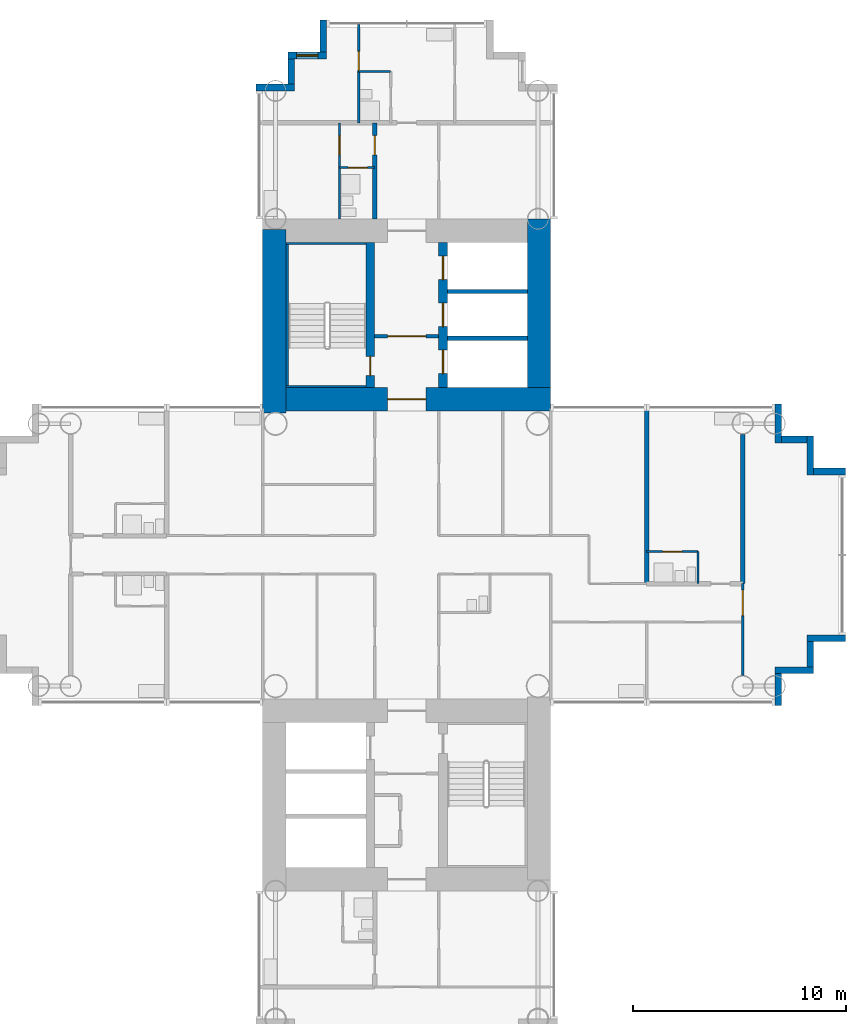
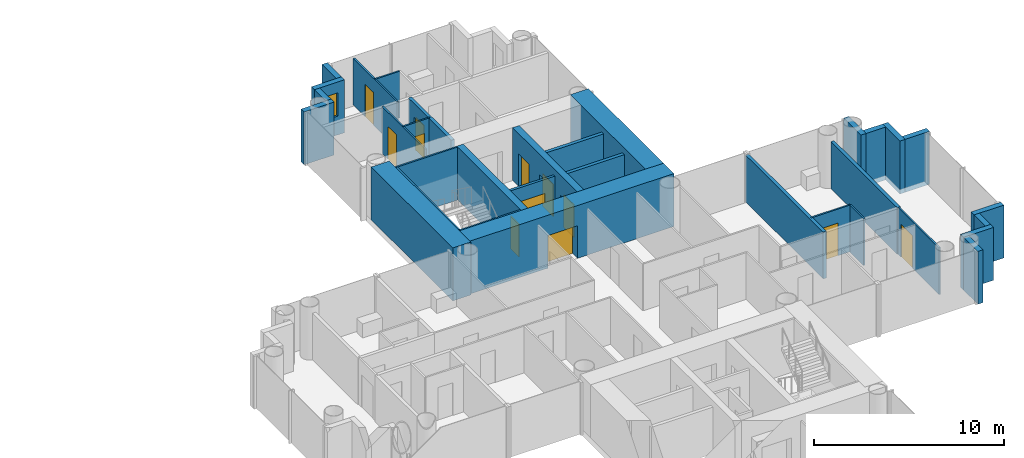
# One storey, part 14 of 21: 33 walls, 12 doors, 1 window, 13 openings.
"""IFC4 building model written with IfcOpenShell, lengths in metres."""

from ifc_helpers import new_model, si_unit, direction, frame, frame_2d, origin, place, context, subcontext, project, spatial, rectangle, extrude, material, layer, layer_set, type_object, element, fill, save


model = new_model("IFC4")

# Units and contexts
model_context = context("Model", 3, precision=1e-05, world=origin(), true_north=direction((0.0, 1.0)))
body_context = subcontext(model_context, "Body", "Model", "MODEL_VIEW")
ifc_project = project(units=[si_unit("LENGTHUNIT", "METRE"), si_unit("AREAUNIT", "SQUARE_METRE"), si_unit("VOLUMEUNIT", "CUBIC_METRE"), si_unit("PLANEANGLEUNIT", "RADIAN"), si_unit("MASSUNIT", "GRAM", prefix="KILO")], contexts=[model_context])

# Site, building, storey
site_placement = place(None, origin())
site = spatial("IfcSite", under=ifc_project, at=site_placement, CompositionType="ELEMENT")
building_placement = place(site_placement, origin())
building = spatial("IfcBuilding", under=site, at=building_placement, Name="Ipe Terrace Towers", CompositionType="ELEMENT")
storey_placement = place(building_placement, frame((0.0, 0.0, 41.5)))
storey = spatial("IfcBuildingStorey", under=building, at=storey_placement, Name="L10", CompositionType="ELEMENT", Elevation=41.5)

# Walls
ifc_material_1 = material(Name="Concrete C40/50 with buff precast cladding", Category="concrete")
ifc_layer_1 = layer(ifc_material_1, 0.320068359375)
ifc_layer_set_1 = layer_set([ifc_layer_1], Name="BUFF CLADDING WALL 320")
wall_type_1 = type_object("IfcWallType", Name="BUFF CLADDING WALL 320", PredefinedType="STANDARD", material=ifc_layer_set_1)
wall_1_placement = place(storey_placement, frame((53.409912109375, -7.070068359375, -0.300048828125), z_axis=(0.0, 0.0, 1.0), x_axis=(0.0, 1.0, 0.0)))
element("IfcWall", 1, at=wall_1_placement, inside=storey, type_object=wall_type_1, Name="T2-W-L10-08a wall", PredefinedType="STANDARD", context=body_context, shape_type="SweptSolid", body=[
    extrude(rectangle(XDim=1.5, YDim=0.320068359375, at=frame_2d((0.75, 0.0))), origin(), (0.0, 0.0, 1.0), 3.400146484375),
])
wall_2_placement = place(storey_placement, frame((53.25, -5.409912109375, -0.300048828125), z_axis=(0.0, 0.0, 1.0), x_axis=(1.0, 0.0, 0.0)))
element("IfcWall", 2, at=wall_2_placement, inside=storey, type_object=wall_type_1, Name="T2-W-L10-09a wall", PredefinedType="STANDARD", context=body_context, shape_type="SweptSolid", body=[
    extrude(rectangle(XDim=1.820068359375, YDim=0.320068359375, at=frame_2d((0.91015625, 0.0))), origin(), (0.0, 0.0, 1.0), 3.400146484375),
])
wall_3_placement = place(storey_placement, frame((54.909912109375, -5.25, -0.300048828125), z_axis=(0.0, 0.0, 1.0), x_axis=(0.0, 1.0, 0.0)))
element("IfcWall", 3, at=wall_3_placement, inside=storey, type_object=wall_type_1, Name="T2-W-L10-10a wall", PredefinedType="STANDARD", context=body_context, shape_type="SweptSolid", body=[
    extrude(rectangle(XDim=1.179931640625, YDim=0.320068359375, at=frame_2d((0.58984375, 0.0))), origin(), (0.0, 0.0, 1.0), 3.400146484375),
])
wall_4_placement = place(storey_placement, frame((54.75, -3.909912109375, -0.300048828125), z_axis=(0.0, 0.0, 1.0), x_axis=(1.0, 0.0, 0.0)))
element("IfcWall", 4, at=wall_4_placement, inside=storey, type_object=wall_type_1, Name="T2-W-L10-11a wall", PredefinedType="STANDARD", context=body_context, shape_type="SweptSolid", body=[
    extrude(rectangle(XDim=1.820068359375, YDim=0.320068359375, at=frame_2d((0.91015625, 0.0))), origin(), (0.0, 0.0, 1.0), 3.400146484375),
])
wall_5_placement = place(storey_placement, frame((56.570068359375, 3.909912109375, -0.300048828125), z_axis=(0.0, 0.0, 1.0), x_axis=(-1.0, 0.0, 0.0)))
element("IfcWall", 5, at=wall_5_placement, inside=storey, type_object=wall_type_1, Name="T2-W-L10-13a wall", PredefinedType="STANDARD", context=body_context, shape_type="SweptSolid", body=[
    extrude(rectangle(XDim=1.5, YDim=0.320068359375, at=frame_2d((0.75, 0.0))), origin(), (0.0, 0.0, 1.0), 3.400146484375),
])
wall_6_placement = place(storey_placement, frame((54.909912109375, 3.75, -0.300048828125), z_axis=(0.0, 0.0, 1.0), x_axis=(0.0, 1.0, 0.0)))
element("IfcWall", 6, at=wall_6_placement, inside=storey, type_object=wall_type_1, Name="T2-W-L10-14a wall", PredefinedType="STANDARD", context=body_context, shape_type="SweptSolid", body=[
    extrude(rectangle(XDim=1.820068359375, YDim=0.320068359375, at=frame_2d((0.91015625, 0.0))), origin(), (0.0, 0.0, 1.0), 3.400146484375),
])
wall_7_placement = place(storey_placement, frame((54.75, 5.409912109375, -0.300048828125), z_axis=(0.0, 0.0, 1.0), x_axis=(-1.0, 0.0, 0.0)))
element("IfcWall", 7, at=wall_7_placement, inside=storey, type_object=wall_type_1, Name="T2-W-L10-15a wall", PredefinedType="STANDARD", context=body_context, shape_type="SweptSolid", body=[
    extrude(rectangle(XDim=1.179931640625, YDim=0.320068359375, at=frame_2d((0.58984375, 0.0))), origin(), (0.0, 0.0, 1.0), 3.400146484375),
])
wall_8_placement = place(storey_placement, frame((53.409912109375, 5.25, -0.300048828125), z_axis=(0.0, 0.0, 1.0), x_axis=(0.0, 1.0, 0.0)))
element("IfcWall", 8, at=wall_8_placement, inside=storey, type_object=wall_type_1, Name="T2-W-L10-16a wall", PredefinedType="STANDARD", context=body_context, shape_type="SweptSolid", body=[
    extrude(rectangle(XDim=1.820068359375, YDim=0.320068359375, at=frame_2d((0.91015625, 0.0))), origin(), (0.0, 0.0, 1.0), 3.400146484375),
])
wall_9_placement = place(storey_placement, frame((32.090087890625, 25.070068359375, -0.300048828125), z_axis=(0.0, 0.0, 1.0), x_axis=(0.0, -1.0, 0.0)))
element("IfcWall", 9, at=wall_9_placement, inside=storey, type_object=wall_type_1, Name="T2-W-L10-26a wall", PredefinedType="STANDARD", context=body_context, shape_type="SweptSolid", body=[
    extrude(rectangle(XDim=1.5, YDim=0.320068359375, at=frame_2d((0.75, 0.0))), origin(), (0.0, 0.0, 1.0), 3.400146484375),
])

# Wall, opening, window
wall_10_placement = place(storey_placement, frame((32.25, 23.409912109375, -0.300048828125), z_axis=(0.0, 0.0, 1.0), x_axis=(-1.0, 0.0, 0.0)))
wall_10 = element("IfcWall", 10, at=wall_10_placement, inside=storey, type_object=wall_type_1, Name="T2-W-L10-27a wall", PredefinedType="STANDARD", context=body_context, shape_type="SweptSolid", body=[
    extrude(rectangle(XDim=1.820068359375, YDim=0.320068359375, at=frame_2d((0.91015625, 0.0))), origin(), (0.0, 0.0, 1.0), 3.400146484375),
])
opening_1_placement = place(wall_10_placement, frame((0.409912109375, 0.0, 1.199951171875)))
opening_1 = element("IfcOpeningElement", 11, at=opening_1_placement, cuts=wall_10, Name="Opening T2-W-05-L10-01", PredefinedType="OPENING", context=body_context, shape_type="SweptSolid", body=[
    extrude(rectangle(XDim=1.0, YDim=1.5, at=frame_2d((0.5, 0.75))), frame((0.0, 0.169921875, 0.0), z_axis=(0.0, -1.0, 0.0), x_axis=(1.0, 0.0, 0.0)), (0.0, 0.0, 1.0), 0.340087890625),
])
ifc_material_2 = material(Name="Glass, clear laminated", Category="glass")
window_type = type_object("IfcWindowType", Name="DWELLING WINDOW 1000 x 1500", PartitioningType="SINGLE_PANEL", PredefinedType="WINDOW", material=ifc_material_2)
window_placement = place(opening_1_placement, origin())
window = element("IfcWindow", 12, at=window_placement, inside=storey, type_object=window_type, Name="W-05 window", OverallHeight=1.5, OverallWidth=1.0, PartitioningType="SINGLE_PANEL", PredefinedType="WINDOW", context=body_context, shape_type="SweptSolid", body=[
    extrude(rectangle(XDim=1.0, YDim=1.5, at=frame_2d((0.5, 0.75))), frame((0.0, 0.030029296875, 0.0), z_axis=(0.0, -1.0, 0.0), x_axis=(1.0, 0.0, 0.0)), (0.0, 0.0, 1.0), 0.06005859375),
])
fill(opening_1, window)

# Walls
wall_11_placement = place(storey_placement, frame((30.590087890625, 23.25, -0.300048828125), z_axis=(0.0, 0.0, 1.0), x_axis=(0.0, -1.0, 0.0)))
element("IfcWall", 13, at=wall_11_placement, inside=storey, type_object=wall_type_1, Name="T2-W-L10-28a wall", PredefinedType="STANDARD", context=body_context, shape_type="SweptSolid", body=[
    extrude(rectangle(XDim=1.179931640625, YDim=0.320068359375, at=frame_2d((0.58984375, 0.0))), origin(), (0.0, 0.0, 1.0), 3.400146484375),
])
wall_12_placement = place(storey_placement, frame((30.75, 21.909912109375, -0.300048828125), z_axis=(0.0, 0.0, 1.0), x_axis=(-1.0, 0.0, 0.0)))
element("IfcWall", 14, at=wall_12_placement, inside=storey, type_object=wall_type_1, Name="T2-W-L10-29a wall", PredefinedType="STANDARD", context=body_context, shape_type="SweptSolid", body=[
    extrude(rectangle(XDim=1.820068359375, YDim=0.320068359375, at=frame_2d((0.91015625, 0.0))), origin(), (0.0, 0.0, 1.0), 3.400146484375),
])

# Wall, opening, door
ifc_material_3 = material(Name="Gypsum board partition", Category="plasterboard")
ifc_layer_2 = layer(ifc_material_3, 0.10009765625)
ifc_layer_set_2 = layer_set([ifc_layer_2], Name="Gypsum board partition 100 mm")
wall_type_2 = type_object("IfcWallType", Name="Gypsum board partition 100 mm", PredefinedType="PARTITIONING", material=ifc_layer_set_2)
wall_13_placement = place(storey_placement, frame((49.64990234375, 0.14990234375, 0.0), z_axis=(0.0, 0.0, 1.0), x_axis=(-1.0, 0.0, 0.0)))
wall_13 = element("IfcWall", 15, at=wall_13_placement, inside=storey, type_object=wall_type_2, Name="Gypsum board partition T2 L10 W12", PredefinedType="PARTITIONING", context=body_context, shape_type="SweptSolid", body=[
    extrude(rectangle(XDim=2.39990234375, YDim=0.10009765625, at=frame_2d((1.199951171875, 0.0))), origin(), (0.0, 0.0, 1.0), 3.0),
])
opening_2_placement = place(wall_13_placement, frame((0.75, 0.0, 0.0)))
opening_2 = element("IfcOpeningElement", 16, at=opening_2_placement, cuts=wall_13, Name="Opening T2-Z1B-18", PredefinedType="OPENING", context=body_context, shape_type="SweptSolid", body=[
    extrude(rectangle(XDim=0.89990234375, YDim=2.10009765625, at=frame_2d((0.449951171875, 1.050048828125))), frame((0.0, 0.06005859375, 0.0), z_axis=(0.0, -1.0, 0.0), x_axis=(1.0, 0.0, 0.0)), (0.0, 0.0, 1.0), 0.1201171875),
])
ifc_material_4 = material(Name="Timber door leaf", Category="wood")
door_type_1 = type_object("IfcDoorType", Name="Bathroom door 900 x 2100", OperationType="NOTDEFINED", PredefinedType="DOOR", material=ifc_material_4)
door_1_placement = place(opening_2_placement, origin())
door_1 = element("IfcDoor", 17, at=door_1_placement, inside=storey, type_object=door_type_1, Name="Bathroom door T2-Z1B-18", OperationType="SINGLE_SWING_LEFT", OverallHeight=2.10009765625, OverallWidth=0.89990234375, PredefinedType="DOOR", context=body_context, shape_type="SweptSolid", body=[
    extrude(rectangle(XDim=0.89990234375, YDim=2.10009765625, at=frame_2d((0.449951171875, 1.050048828125))), frame((0.0, 0.02490234375, 0.0), z_axis=(0.0, -1.0, 0.0), x_axis=(1.0, 0.0, 0.0)), (0.0, 0.0, 1.0), 0.050048828125),
])
fill(opening_2, door_1)

wall_14_placement = place(storey_placement, frame((34.5, 18.14990234375, 0.0), z_axis=(0.0, 0.0, 1.0), x_axis=(-1.0, 0.0, 0.0)))
wall_14 = element("IfcWall", 18, at=wall_14_placement, inside=storey, type_object=wall_type_2, Name="Gypsum board partition T2 L10 W18", PredefinedType="PARTITIONING", context=body_context, shape_type="SweptSolid", body=[
    extrude(rectangle(XDim=1.64990234375, YDim=0.10009765625, at=frame_2d((0.824951171875, 0.0))), origin(), (0.0, 0.0, 1.0), 3.0),
])
opening_3_placement = place(wall_14_placement, frame((0.35009765625, 0.0, 0.0)))
opening_3 = element("IfcOpeningElement", 19, at=opening_3_placement, cuts=wall_14, Name="Opening T2-Z1B-24", PredefinedType="OPENING", context=body_context, shape_type="SweptSolid", body=[
    extrude(rectangle(XDim=0.89990234375, YDim=2.10009765625, at=frame_2d((0.449951171875, 1.050048828125))), frame((0.0, 0.06005859375, 0.0), z_axis=(0.0, -1.0, 0.0), x_axis=(1.0, 0.0, 0.0)), (0.0, 0.0, 1.0), 0.1201171875),
])
door_2_placement = place(opening_3_placement, origin())
door_2 = element("IfcDoor", 20, at=door_2_placement, inside=storey, type_object=door_type_1, Name="Bathroom door T2-Z1B-24", OperationType="SINGLE_SWING_RIGHT", OverallHeight=2.10009765625, OverallWidth=0.89990234375, PredefinedType="DOOR", context=body_context, shape_type="SweptSolid", body=[
    extrude(rectangle(XDim=0.89990234375, YDim=2.10009765625, at=frame_2d((0.449951171875, 1.050048828125))), frame((0.0, 0.02490234375, 0.0), z_axis=(0.0, -1.0, 0.0), x_axis=(1.0, 0.0, 0.0)), (0.0, 0.0, 1.0), 0.050048828125),
])
fill(opening_3, door_2)

# Wall
wall_15_placement = place(storey_placement, frame((35.25, 22.64990234375, 0.0), z_axis=(0.0, 0.0, 1.0), x_axis=(-1.0, 0.0, 0.0)))
element("IfcWall", 21, at=wall_15_placement, inside=storey, type_object=wall_type_2, Name="Gypsum board partition T2 L10 W20", PredefinedType="PARTITIONING", context=body_context, shape_type="SweptSolid", body=[
    extrude(rectangle(XDim=1.5, YDim=0.10009765625, at=frame_2d((0.75, 0.0))), origin(), (0.0, 0.0, 1.0), 3.0),
])

# Wall, opening, door
wall_16_placement = place(storey_placement, frame((51.75, -5.64990234375, 0.0), z_axis=(0.0, 0.0, 1.0), x_axis=(0.0, 1.0, 0.0)))
wall_16 = element("IfcWall", 22, at=wall_16_placement, inside=storey, type_object=wall_type_2, Name="Gypsum board partition T2 L10 W21", PredefinedType="PARTITIONING", context=body_context, shape_type="SweptSolid", body=[
    extrude(rectangle(XDim=4.2998046875, YDim=0.10009765625, at=frame_2d((2.14990234375, 0.0))), origin(), (0.0, 0.0, 1.0), 3.0),
])
opening_4_placement = place(wall_16_placement, frame((2.800048828125, 0.0, 0.0)))
opening_4 = element("IfcOpeningElement", 23, at=opening_4_placement, cuts=wall_16, Name="Opening T2-Z1B-21", PredefinedType="OPENING", context=body_context, shape_type="SweptSolid", body=[
    extrude(rectangle(XDim=1.199951171875, YDim=2.10009765625, at=frame_2d((0.60009765625, 1.050048828125))), frame((0.0, 0.06005859375, 0.0), z_axis=(0.0, -1.0, 0.0), x_axis=(1.0, 0.0, 0.0)), (0.0, 0.0, 1.0), 0.1201171875),
])
ifc_material_5 = material(Name="Timber door leaf", Category="wood")
door_type_2 = type_object("IfcDoorType", Name="Lounge door 1200 x 2100", OperationType="NOTDEFINED", PredefinedType="DOOR", material=ifc_material_5)
door_3_placement = place(opening_4_placement, origin())
door_3 = element("IfcDoor", 24, at=door_3_placement, inside=storey, type_object=door_type_2, Name="Lounge door T2-Z1B-21", OperationType="SINGLE_SWING_RIGHT", OverallHeight=2.10009765625, OverallWidth=1.199951171875, PredefinedType="DOOR", context=body_context, shape_type="SweptSolid", body=[
    extrude(rectangle(XDim=1.199951171875, YDim=2.10009765625, at=frame_2d((0.60009765625, 1.050048828125))), frame((0.0, 0.02490234375, 0.0), z_axis=(0.0, -1.0, 0.0), x_axis=(1.0, 0.0, 0.0)), (0.0, 0.0, 1.0), 0.050048828125),
])
fill(opening_4, door_3)

# Wall
wall_17_placement = place(storey_placement, frame((49.64990234375, -1.35009765625, 0.0), z_axis=(0.0, 0.0, 1.0), x_axis=(0.0, 1.0, 0.0)))
element("IfcWall", 25, at=wall_17_placement, inside=storey, type_object=wall_type_2, Name="Gypsum board partition T2 L10 W23", PredefinedType="PARTITIONING", context=body_context, shape_type="SweptSolid", body=[
    extrude(rectangle(XDim=1.5, YDim=0.10009765625, at=frame_2d((0.75, 0.0))), origin(), (0.0, 0.0, 1.0), 3.0),
])

# Wall, opening, door
wall_18_placement = place(storey_placement, frame((33.75, 20.25, 0.0), z_axis=(0.0, 0.0, 1.0), x_axis=(0.0, 1.0, 0.0)))
wall_18 = element("IfcWall", 26, at=wall_18_placement, inside=storey, type_object=wall_type_2, Name="Gypsum board partition T2 L10 W41", PredefinedType="PARTITIONING", context=body_context, shape_type="SweptSolid", body=[
    extrude(rectangle(XDim=4.60009765625, YDim=0.10009765625, at=frame_2d((2.300048828125, 0.0))), origin(), (0.0, 0.0, 1.0), 3.0),
])
opening_5_placement = place(wall_18_placement, frame((2.449951171875, 0.0, 0.0)))
opening_5 = element("IfcOpeningElement", 27, at=opening_5_placement, cuts=wall_18, Name="Opening T2-Z1B-28", PredefinedType="OPENING", context=body_context, shape_type="SweptSolid", body=[
    extrude(rectangle(XDim=0.89990234375, YDim=2.10009765625, at=frame_2d((0.449951171875, 1.050048828125))), frame((0.0, 0.06005859375, 0.0), z_axis=(0.0, -1.0, 0.0), x_axis=(1.0, 0.0, 0.0)), (0.0, 0.0, 1.0), 0.1201171875),
])
ifc_material_6 = material(Name="Timber door leaf", Category="wood")
door_type_3 = type_object("IfcDoorType", Name="Bedroom door 900 x 2100", OperationType="NOTDEFINED", PredefinedType="DOOR", material=ifc_material_6)
door_4_placement = place(opening_5_placement, origin())
door_4 = element("IfcDoor", 28, at=door_4_placement, inside=storey, type_object=door_type_3, Name="Bedroom door T2-Z1B-28", OperationType="SINGLE_SWING_LEFT", OverallHeight=2.10009765625, OverallWidth=0.89990234375, PredefinedType="DOOR", context=body_context, shape_type="SweptSolid", body=[
    extrude(rectangle(XDim=0.89990234375, YDim=2.10009765625, at=frame_2d((0.449951171875, 1.050048828125))), frame((0.0, 0.02490234375, 0.0), z_axis=(0.0, -1.0, 0.0), x_axis=(1.0, 0.0, 0.0)), (0.0, 0.0, 1.0), 0.050048828125),
])
fill(opening_5, door_4)

wall_19_placement = place(storey_placement, frame((32.85009765625, 15.75, 0.0), z_axis=(0.0, 0.0, 1.0), x_axis=(0.0, 1.0, 0.0)))
wall_19 = element("IfcWall", 29, at=wall_19_placement, inside=storey, type_object=wall_type_2, Name="Gypsum board partition T2 L10 W43", PredefinedType="PARTITIONING", context=body_context, shape_type="SweptSolid", body=[
    extrude(rectangle(XDim=4.5, YDim=0.10009765625, at=frame_2d((2.25, 0.0))), origin(), (0.0, 0.0, 1.0), 3.0),
])
opening_6_placement = place(wall_19_placement, frame((3.0, 0.0, 0.0)))
opening_6 = element("IfcOpeningElement", 30, at=opening_6_placement, cuts=wall_19, Name="Opening T2-Z1B-23", PredefinedType="OPENING", context=body_context, shape_type="SweptSolid", body=[
    extrude(rectangle(XDim=0.89990234375, YDim=2.10009765625, at=frame_2d((0.449951171875, 1.050048828125))), frame((0.0, 0.06005859375, 0.0), z_axis=(0.0, -1.0, 0.0), x_axis=(1.0, 0.0, 0.0)), (0.0, 0.0, 1.0), 0.1201171875),
])
door_5_placement = place(opening_6_placement, origin())
door_5 = element("IfcDoor", 31, at=door_5_placement, inside=storey, type_object=door_type_3, Name="Bedroom door T2-Z1B-23", OperationType="SINGLE_SWING_LEFT", OverallHeight=2.10009765625, OverallWidth=0.89990234375, PredefinedType="DOOR", context=body_context, shape_type="SweptSolid", body=[
    extrude(rectangle(XDim=0.89990234375, YDim=2.10009765625, at=frame_2d((0.449951171875, 1.050048828125))), frame((0.0, 0.02490234375, 0.0), z_axis=(0.0, -1.0, 0.0), x_axis=(1.0, 0.0, 0.0)), (0.0, 0.0, 1.0), 0.050048828125),
])
fill(opening_6, door_5)

ifc_material_7 = material(Name="Gypsum board partition", Category="plasterboard")
ifc_layer_3 = layer(ifc_material_7, 0.14990234375)
ifc_layer_set_3 = layer_set([ifc_layer_3], Name="Gypsum board partition 150 mm")
wall_type_3 = type_object("IfcWallType", Name="Gypsum board partition 150 mm", PredefinedType="PARTITIONING", material=ifc_layer_set_3)
wall_20_placement = place(storey_placement, frame((37.5, 10.25, 0.0), z_axis=(0.0, 0.0, 1.0), x_axis=(-1.0, 0.0, 0.0)))
wall_20 = element("IfcWall", 32, at=wall_20_placement, inside=storey, type_object=wall_type_3, Name="Gypsum board partition T2 L10 t2c1-lobby-wall", PredefinedType="PARTITIONING", context=body_context, shape_type="SweptSolid", body=[
    extrude(rectangle(XDim=3.0, YDim=0.14990234375, at=frame_2d((1.5, 0.0))), origin(), (0.0, 0.0, 1.0), 3.0),
])
opening_7_placement = place(wall_20_placement, frame((0.60009765625, 0.0, 0.0)))
opening_7 = element("IfcOpeningElement", 33, at=opening_7_placement, cuts=wall_20, Name="Opening T2C1-VD", PredefinedType="OPENING", context=body_context, shape_type="SweptSolid", body=[
    extrude(rectangle(XDim=1.800048828125, YDim=2.10009765625, at=frame_2d((0.89990234375, 1.050048828125))), frame((0.0, 0.0849609375, 0.0), z_axis=(0.0, -1.0, 0.0), x_axis=(1.0, 0.0, 0.0)), (0.0, 0.0, 1.0), 0.169921875),
])
ifc_material_8 = material(Name="Fire-rated timber door leaf", Category="wood")
door_type_4 = type_object("IfcDoorType", Name="Lobby door 1800 x 2100 FD60", OperationType="NOTDEFINED", PredefinedType="DOOR", material=ifc_material_8)
door_6_placement = place(opening_7_placement, origin())
door_6 = element("IfcDoor", 34, at=door_6_placement, inside=storey, type_object=door_type_4, Name="Lobby door T2C1-VD", OperationType="SINGLE_SWING_LEFT", OverallHeight=2.10009765625, OverallWidth=1.800048828125, PredefinedType="DOOR", context=body_context, shape_type="SweptSolid", body=[
    extrude(rectangle(XDim=1.800048828125, YDim=2.10009765625, at=frame_2d((0.89990234375, 1.050048828125))), frame((0.0, 0.02490234375, 0.0), z_axis=(0.0, -1.0, 0.0), x_axis=(1.0, 0.0, 0.0)), (0.0, 0.0, 1.0), 0.050048828125),
])
fill(opening_7, door_6)

# Walls
ifc_material_9 = material(Name="Gypsum board party wall", Category="plasterboard")
ifc_layer_4 = layer(ifc_material_9, 0.199951171875)
ifc_layer_set_4 = layer_set([ifc_layer_4], Name="Gypsum board party wall 200 mm")
wall_type_4 = type_object("IfcWallType", Name="Gypsum board party wall 200 mm", PredefinedType="SOLIDWALL", material=ifc_layer_set_4)
for number, where, z_axis, x_axis, name in (
    (35, (41.64990234375, 10.14990234375, 0.0), (0.0, 0.0, 1.0), (-1.0, 0.0, 0.0), "Gypsum board party wall T2 L10 t2c1-shaft-div1"),
    (36, (41.64990234375, 12.35009765625, 0.0), (0.0, 0.0, 1.0), (-1.0, 0.0, 0.0), "Gypsum board party wall T2 L10 t2c1-shaft-div2"),
):
    element("IfcWall", number, at=place(storey_placement, frame(where, z_axis=z_axis, x_axis=x_axis)), inside=storey, type_object=wall_type_4, Name=name, PredefinedType="SOLIDWALL", context=body_context, shape_type="SweptSolid", body=[
        extrude(rectangle(XDim=3.75, YDim=0.199951171875, at=frame_2d((1.875, 0.0))), origin(), (0.0, 0.0, 1.0), 3.0),
    ])
wall_21_placement = place(storey_placement, frame((51.75, -1.35009765625, 0.0), z_axis=(0.0, 0.0, 1.0), x_axis=(0.0, 1.0, 0.0)))
element("IfcWall", 37, at=wall_21_placement, inside=storey, type_object=wall_type_4, Name="Gypsum board party wall T2 L10 W22", PredefinedType="SOLIDWALL", context=body_context, shape_type="SweptSolid", body=[
    extrude(rectangle(XDim=7.0, YDim=0.199951171875, at=frame_2d((3.5, 0.0))), origin(), (0.0, 0.0, 1.0), 3.0),
])
wall_22_placement = place(storey_placement, frame((47.25, -1.35009765625, 0.0), z_axis=(0.0, 0.0, 1.0), x_axis=(0.0, 1.0, 0.0)))
element("IfcWall", 38, at=wall_22_placement, inside=storey, type_object=wall_type_4, Name="Gypsum board party wall T2 L10 W25", PredefinedType="SOLIDWALL", context=body_context, shape_type="SweptSolid", body=[
    extrude(rectangle(XDim=8.2001953125, YDim=0.199951171875, at=frame_2d((4.10009765625, 0.0))), origin(), (0.0, 0.0, 1.0), 3.0),
])

# Wall, opening, door
wall_23_placement = place(storey_placement, frame((34.5, 15.75, 0.0), z_axis=(0.0, 0.0, 1.0), x_axis=(0.0, 1.0, 0.0)))
wall_23 = element("IfcWall", 39, at=wall_23_placement, inside=storey, type_object=wall_type_4, Name="Gypsum board party wall T2 L10 W40", PredefinedType="SOLIDWALL", context=body_context, shape_type="SweptSolid", body=[
    extrude(rectangle(XDim=4.5, YDim=0.199951171875, at=frame_2d((2.25, 0.0))), origin(), (0.0, 0.0, 1.0), 3.0),
])
opening_8_placement = place(wall_23_placement, frame((3.0, 0.0, 0.0)))
opening_8 = element("IfcOpeningElement", 40, at=opening_8_placement, cuts=wall_23, Name="Opening T2-Z1B-22", PredefinedType="OPENING", context=body_context, shape_type="SweptSolid", body=[
    extrude(rectangle(XDim=0.89990234375, YDim=2.10009765625, at=frame_2d((0.449951171875, 1.050048828125))), frame((0.0, 0.10986328125, 0.0), z_axis=(0.0, -1.0, 0.0), x_axis=(1.0, 0.0, 0.0)), (0.0, 0.0, 1.0), 0.219970703125),
])
ifc_material_10 = material(Name="Fire-rated timber door leaf", Category="wood")
door_type_5 = type_object("IfcDoorType", Name="Flat entrance door 900 x 2100 FD30S", OperationType="NOTDEFINED", PredefinedType="DOOR", material=ifc_material_10)
door_7_placement = place(opening_8_placement, origin())
door_7 = element("IfcDoor", 41, at=door_7_placement, inside=storey, type_object=door_type_5, Name="Flat entrance door T2-Z1B-22", OperationType="SINGLE_SWING_LEFT", OverallHeight=2.10009765625, OverallWidth=0.89990234375, PredefinedType="DOOR", context=body_context, shape_type="SweptSolid", body=[
    extrude(rectangle(XDim=0.89990234375, YDim=2.10009765625, at=frame_2d((0.449951171875, 1.050048828125))), frame((0.0, 0.02490234375, 0.0), z_axis=(0.0, -1.0, 0.0), x_axis=(1.0, 0.0, 0.0)), (0.0, 0.0, 1.0), 0.050048828125),
])
fill(opening_8, door_7)

# Walls
ifc_material_11 = material(Name="Concrete C60/75", Category="concrete")
ifc_layer_5 = layer(ifc_material_11, 0.10009765625)
ifc_layer_set_5 = layer_set([ifc_layer_5], Name="RW100 CORE INFILL WALL 100 C60-75")
wall_type_5 = type_object("IfcWallType", Name="RW100 CORE INFILL WALL 100 C60-75", PredefinedType="SHEAR", material=ifc_layer_set_5)
wall_24_placement = place(storey_placement, frame((34.10009765625, 14.60009765625, 0.0), z_axis=(0.0, 0.0, 1.0), x_axis=(-1.0, 0.0, 0.0)))
element("IfcWall", 42, at=wall_24_placement, inside=storey, type_object=wall_type_5, Name="Core infill wall T2-C1-far", PredefinedType="SHEAR", context=body_context, shape_type="SweptSolid", body=[
    extrude(rectangle(XDim=3.75, YDim=0.10009765625, at=frame_2d((1.875, 0.0))), origin(), (0.0, 0.0, 1.0), 3.39990234375),
])
wall_25_placement = place(storey_placement, frame((30.39990234375, 7.949951171875, 0.0), z_axis=(0.0, 0.0, 1.0), x_axis=(0.0, 1.0, 0.0)))
element("IfcWall", 43, at=wall_25_placement, inside=storey, type_object=wall_type_5, Name="Core infill wall T2-C1-back", PredefinedType="SHEAR", context=body_context, shape_type="SweptSolid", body=[
    extrude(rectangle(XDim=6.60009765625, YDim=0.10009765625, at=frame_2d((3.300048828125, 0.0))), origin(), (0.0, 0.0, 1.0), 3.39990234375),
])
wall_26_placement = place(storey_placement, frame((34.10009765625, 7.89990234375, 0.0), z_axis=(0.0, 0.0, 1.0), x_axis=(-1.0, 0.0, 0.0)))
element("IfcWall", 44, at=wall_26_placement, inside=storey, type_object=wall_type_5, Name="Core infill wall T2-C1-near", PredefinedType="SHEAR", context=body_context, shape_type="SweptSolid", body=[
    extrude(rectangle(XDim=3.75, YDim=0.10009765625, at=frame_2d((1.875, 0.0))), origin(), (0.0, 0.0, 1.0), 3.39990234375),
])

# Wall, opening, door
ifc_material_12 = material(Name="Concrete C60/75", Category="concrete")
ifc_layer_6 = layer(ifc_material_12, 1.10009765625)
ifc_layer_set_6 = layer_set([ifc_layer_6], Name="RW1100 CORE WALL 1100 C60-75")
wall_type_6 = type_object("IfcWallType", Name="RW1100 CORE WALL 1100 C60-75", PredefinedType="SHEAR", material=ifc_layer_set_6)
wall_27_placement = place(storey_placement, frame((30.35009765625, 7.300048828125, 0.0), z_axis=(0.0, 0.0, 1.0), x_axis=(1.0, 0.0, 0.0)))
wall_27 = element("IfcWall", 45, at=wall_27_placement, inside=storey, type_object=wall_type_6, Name="Core wall T2-C1-Z1-W01", PredefinedType="SHEAR", context=body_context, shape_type="SweptSolid", body=[
    extrude(rectangle(XDim=12.39990234375, YDim=1.10009765625, at=frame_2d((6.199951171875, 0.0))), origin(), (0.0, 0.0, 1.0), 3.39990234375),
])
opening_9_placement = place(wall_27_placement, frame((4.75, 0.0, 0.0)))
opening_9 = element("IfcOpeningElement", 46, at=opening_9_placement, cuts=wall_27, Name="Opening T2C1-ND", PredefinedType="OPENING", context=body_context, shape_type="SweptSolid", body=[
    extrude(rectangle(XDim=1.800048828125, YDim=2.10009765625, at=frame_2d((0.89990234375, 1.050048828125))), frame((0.0, 0.56005859375, 0.0), z_axis=(0.0, -1.0, 0.0), x_axis=(1.0, 0.0, 0.0)), (0.0, 0.0, 1.0), 1.1201171875),
])
ifc_material_13 = material(Name="Fire-rated timber door leaf", Category="wood")
door_type_6 = type_object("IfcDoorType", Name="Fire door 1800 x 2100 FD30S", OperationType="NOTDEFINED", PredefinedType="DOOR", material=ifc_material_13)
door_8_placement = place(opening_9_placement, origin())
door_8 = element("IfcDoor", 47, at=door_8_placement, inside=storey, type_object=door_type_6, Name="Fire door T2C1-ND", OperationType="SINGLE_SWING_LEFT", OverallHeight=2.10009765625, OverallWidth=1.800048828125, PredefinedType="DOOR", context=body_context, shape_type="SweptSolid", body=[
    extrude(rectangle(XDim=1.800048828125, YDim=2.10009765625, at=frame_2d((0.89990234375, 1.050048828125))), frame((0.0, 0.02490234375, 0.0), z_axis=(0.0, -1.0, 0.0), x_axis=(1.0, 0.0, 0.0)), (0.0, 0.0, 1.0), 0.050048828125),
])
fill(opening_9, door_8)

# Walls
wall_28_placement = place(storey_placement, frame((42.199951171875, 7.85009765625, 0.0), z_axis=(0.0, 0.0, 1.0), x_axis=(0.0, 1.0, 0.0)))
element("IfcWall", 48, at=wall_28_placement, inside=storey, type_object=wall_type_6, Name="Core wall T2-C1-Z1-W02", PredefinedType="SHEAR", context=body_context, shape_type="SweptSolid", body=[
    extrude(rectangle(XDim=7.89990234375, YDim=1.10009765625, at=frame_2d((3.949951171875, 0.0))), origin(), (0.0, 0.0, 1.0), 3.39990234375),
])
wall_29_placement = place(storey_placement, frame((29.800048828125, 15.248046875, 0.0), z_axis=(0.0, 0.0, 1.0), x_axis=(0.0, -1.0, 0.0)))
element("IfcWall", 49, at=wall_29_placement, inside=storey, type_object=wall_type_6, Name="Core wall T2-C1-Z1-W04", PredefinedType="SHEAR", context=body_context, shape_type="SweptSolid", body=[
    extrude(rectangle(XDim=8.595947265625, YDim=1.10009765625, at=frame_2d((4.2978515625, 0.0))), origin(), (0.0, 0.0, 1.0), 3.39990234375),
])

# Wall, opening, door
ifc_material_14 = material(Name="Concrete C60/75", Category="concrete")
ifc_layer_7 = layer(ifc_material_14, 0.39990234375)
ifc_layer_set_7 = layer_set([ifc_layer_7], Name="RW400 CORE SPINE WALL 400 C60-75")
wall_type_7 = type_object("IfcWallType", Name="RW400 CORE SPINE WALL 400 C60-75", PredefinedType="SHEAR", material=ifc_layer_set_7)
wall_30_placement = place(storey_placement, frame((34.300048828125, 7.85009765625, 0.0), z_axis=(0.0, 0.0, 1.0), x_axis=(0.0, 1.0, 0.0)))
wall_30 = element("IfcWall", 50, at=wall_30_placement, inside=storey, type_object=wall_type_7, Name="Core spine wall T2-C1-Z1-SW1", PredefinedType="SHEAR", context=body_context, shape_type="SweptSolid", body=[
    extrude(rectangle(XDim=6.7998046875, YDim=0.39990234375, at=frame_2d((3.39990234375, 0.0))), origin(), (0.0, 0.0, 1.0), 3.39990234375),
])
opening_10_placement = place(wall_30_placement, frame((0.550048828125, 0.0, 0.0)))
opening_10 = element("IfcOpeningElement", 51, at=opening_10_placement, cuts=wall_30, Name="Opening T2C1-SD", PredefinedType="OPENING", context=body_context, shape_type="SweptSolid", body=[
    extrude(rectangle(XDim=0.89990234375, YDim=2.10009765625, at=frame_2d((0.449951171875, 1.050048828125))), frame((0.0, 0.2099609375, 0.0), z_axis=(0.0, -1.0, 0.0), x_axis=(1.0, 0.0, 0.0)), (0.0, 0.0, 1.0), 0.419921875),
])
ifc_material_15 = material(Name="Fire-rated timber door leaf", Category="wood")
door_type_7 = type_object("IfcDoorType", Name="Stair door 900 x 2100 FD60", OperationType="NOTDEFINED", PredefinedType="DOOR", material=ifc_material_15)
door_9_placement = place(opening_10_placement, origin())
door_9 = element("IfcDoor", 52, at=door_9_placement, inside=storey, type_object=door_type_7, Name="Stair door T2C1-SD", OperationType="SINGLE_SWING_LEFT", OverallHeight=2.10009765625, OverallWidth=0.89990234375, PredefinedType="DOOR", context=body_context, shape_type="SweptSolid", body=[
    extrude(rectangle(XDim=0.89990234375, YDim=2.10009765625, at=frame_2d((0.449951171875, 1.050048828125))), frame((0.0, 0.02490234375, 0.0), z_axis=(0.0, -1.0, 0.0), x_axis=(1.0, 0.0, 0.0)), (0.0, 0.0, 1.0), 0.050048828125),
])
fill(opening_10, door_9)

# Wall, openings, doors
wall_31_placement = place(storey_placement, frame((37.699951171875, 7.85009765625, 0.0), z_axis=(0.0, 0.0, 1.0), x_axis=(0.0, 1.0, 0.0)))
wall_31 = element("IfcWall", 53, at=wall_31_placement, inside=storey, type_object=wall_type_7, Name="Core spine wall T2-C1-Z1-SW2", PredefinedType="SHEAR", context=body_context, shape_type="SweptSolid", body=[
    extrude(rectangle(XDim=6.7998046875, YDim=0.39990234375, at=frame_2d((3.39990234375, 0.0))), origin(), (0.0, 0.0, 1.0), 3.39990234375),
])
opening_11_placement = place(wall_31_placement, frame((0.64990234375, 0.0, 0.0)))
opening_11 = element("IfcOpeningElement", 54, at=opening_11_placement, cuts=wall_31, Name="Opening T2C1-LD1", PredefinedType="OPENING", context=body_context, shape_type="SweptSolid", body=[
    extrude(rectangle(XDim=1.10009765625, YDim=2.10009765625, at=frame_2d((0.550048828125, 1.050048828125))), frame((0.0, 0.2099609375, 0.0), z_axis=(0.0, -1.0, 0.0), x_axis=(1.0, 0.0, 0.0)), (0.0, 0.0, 1.0), 0.419921875),
])
opening_12_placement = place(wall_31_placement, frame((2.85009765625, 0.0, 0.0)))
opening_12 = element("IfcOpeningElement", 55, at=opening_12_placement, cuts=wall_31, Name="Opening T2C1-LD2", PredefinedType="OPENING", context=body_context, shape_type="SweptSolid", body=[
    extrude(rectangle(XDim=1.10009765625, YDim=2.10009765625, at=frame_2d((0.550048828125, 1.050048828125))), frame((0.0, 0.2099609375, 0.0), z_axis=(0.0, -1.0, 0.0), x_axis=(1.0, 0.0, 0.0)), (0.0, 0.0, 1.0), 0.419921875),
])
opening_13_placement = place(wall_31_placement, frame((5.050048828125, 0.0, 0.0)))
opening_13 = element("IfcOpeningElement", 56, at=opening_13_placement, cuts=wall_31, Name="Opening T2C1-LD3", PredefinedType="OPENING", context=body_context, shape_type="SweptSolid", body=[
    extrude(rectangle(XDim=1.10009765625, YDim=2.10009765625, at=frame_2d((0.550048828125, 1.050048828125))), frame((0.0, 0.2099609375, 0.0), z_axis=(0.0, -1.0, 0.0), x_axis=(1.0, 0.0, 0.0)), (0.0, 0.0, 1.0), 0.419921875),
])
ifc_material_16 = material(Name="Fire-rated timber door leaf", Category="wood")
door_type_8 = type_object("IfcDoorType", Name="Sliding door 1100 x 2100 FD60", OperationType="SLIDING_TO_LEFT", PredefinedType="DOOR", material=ifc_material_16)
door_10_placement = place(opening_11_placement, origin())
door_10 = element("IfcDoor", 57, at=door_10_placement, inside=storey, type_object=door_type_8, Name="Sliding door T2C1-LD1", OperationType="SLIDING_TO_LEFT", OverallHeight=2.10009765625, OverallWidth=1.10009765625, PredefinedType="DOOR", context=body_context, shape_type="SweptSolid", body=[
    extrude(rectangle(XDim=1.10009765625, YDim=2.10009765625, at=frame_2d((0.550048828125, 1.050048828125))), frame((0.0, 0.02490234375, 0.0), z_axis=(0.0, -1.0, 0.0), x_axis=(1.0, 0.0, 0.0)), (0.0, 0.0, 1.0), 0.050048828125),
])
fill(opening_11, door_10)
door_11_placement = place(opening_12_placement, origin())
door_11 = element("IfcDoor", 58, at=door_11_placement, inside=storey, type_object=door_type_8, Name="Sliding door T2C1-LD2", OperationType="SLIDING_TO_LEFT", OverallHeight=2.10009765625, OverallWidth=1.10009765625, PredefinedType="DOOR", context=body_context, shape_type="SweptSolid", body=[
    extrude(rectangle(XDim=1.10009765625, YDim=2.10009765625, at=frame_2d((0.550048828125, 1.050048828125))), frame((0.0, 0.02490234375, 0.0), z_axis=(0.0, -1.0, 0.0), x_axis=(1.0, 0.0, 0.0)), (0.0, 0.0, 1.0), 0.050048828125),
])
fill(opening_12, door_11)
door_12_placement = place(opening_13_placement, origin())
door_12 = element("IfcDoor", 59, at=door_12_placement, inside=storey, type_object=door_type_8, Name="Sliding door T2C1-LD3", OperationType="SLIDING_TO_LEFT", OverallHeight=2.10009765625, OverallWidth=1.10009765625, PredefinedType="DOOR", context=body_context, shape_type="SweptSolid", body=[
    extrude(rectangle(XDim=1.10009765625, YDim=2.10009765625, at=frame_2d((0.550048828125, 1.050048828125))), frame((0.0, 0.02490234375, 0.0), z_axis=(0.0, -1.0, 0.0), x_axis=(1.0, 0.0, 0.0)), (0.0, 0.0, 1.0), 0.050048828125),
])
fill(opening_13, door_12)

save(model, "model.ifc")
